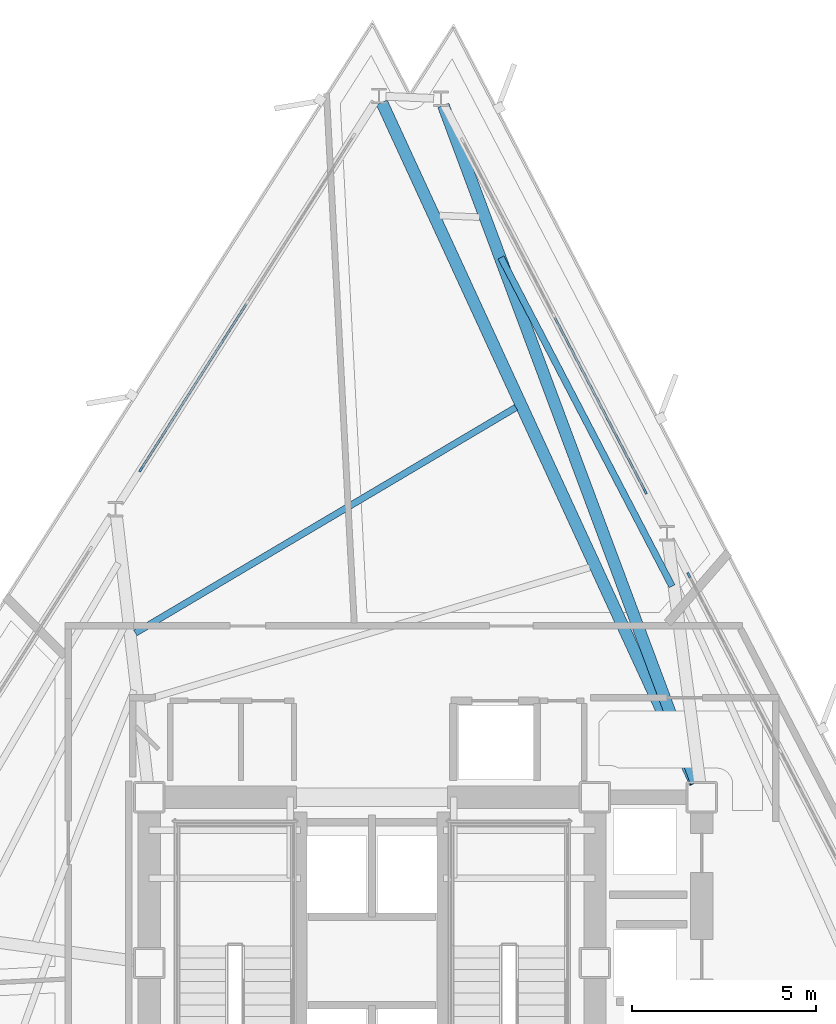
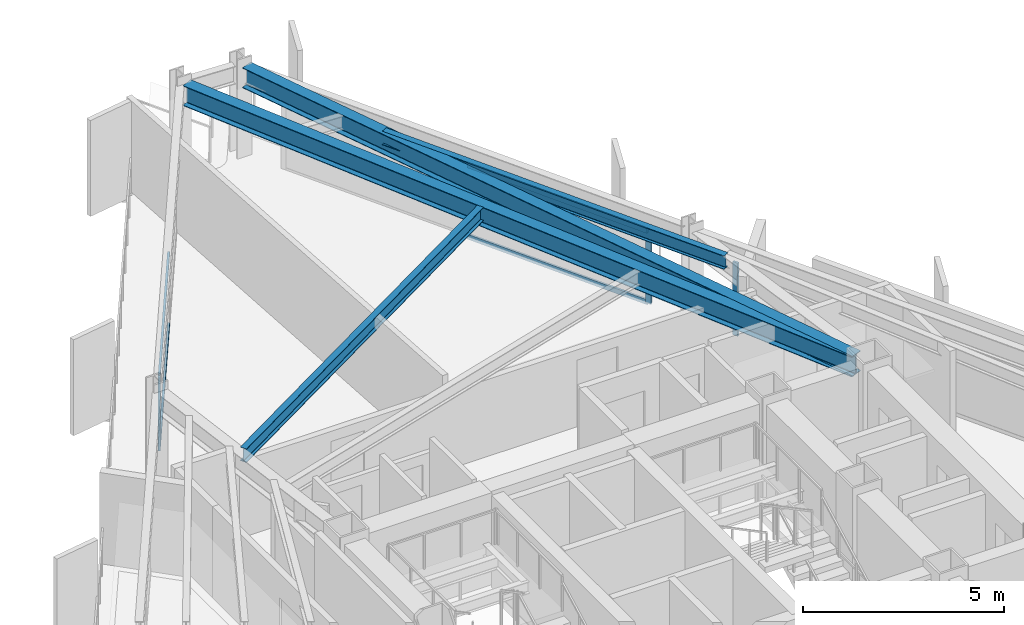
# One storey, part 4 of 12: 7 members, 4 beams, 3 elements without a shape of their own.
"""IFC4 building model written with IfcOpenShell, lengths in metres."""

import ifcopenshell
import ifcopenshell.guid

model = None  # the IFC model being written
_history = None  # IfcOwnerHistory: only IFC2X3 demands one
_inside = {}  # id of a spatial element -> (the spatial element, [elements in it])
_under = {}  # id of a project, library or spatial element -> (it, [spatial elements below it])
_declared = {}  # id of a project -> (the project, [libraries it declares])
_typed = {}  # id of a type object -> (the type object, [elements of that type])
_made_of = {}  # id of a material, layer set ... -> (it, [elements and type objects made of it])


def new_model(schema):
    """Start an empty IFC model of exactly this schema.

    Asked for "IFC4X3", IfcOpenShell would pick the latest addendum, in which some entities
    have other attributes; the version numbers below select the first issue.
    IFC2X3 requires an IfcOwnerHistory on every rooted entity: one is made here for all.
    """
    global model, _history
    if schema == "IFC4X3":
        model = ifcopenshell.file(schema_version=(4, 3, 0, 0))
    else:
        model = ifcopenshell.file(schema=schema)
    _inside.clear()
    _under.clear()
    _declared.clear()
    _typed.clear()
    _made_of.clear()
    _history = None
    if model.schema == "IFC2X3":
        org = make("IfcOrganization", Name="unknown")
        user = make(
            "IfcPersonAndOrganization",
            ThePerson=make("IfcPerson", FamilyName="unknown"),
            TheOrganization=org,
        )
        app = make(
            "IfcApplication",
            ApplicationDeveloper=org,
            Version="unknown",
            ApplicationFullName="unknown",
            ApplicationIdentifier="unknown",
        )
        _history = make(
            "IfcOwnerHistory",
            OwningUser=user,
            OwningApplication=app,
            ChangeAction="ADDED",
            CreationDate=0,
        )
    return model


def make(cls, **values):
    """One entity of the class cls with the attributes given. An attribute that is None is left unset."""
    return model.create_entity(
        cls, **{name: value for name, value in values.items() if value is not None}
    )


def rooted(cls, **values):
    """An entity with a GlobalId (a new one), such as an element, a storey or a relation."""
    return make(cls, GlobalId=ifcopenshell.guid.new(), OwnerHistory=_history, **values)


def si_unit(unit_type, name, prefix=None):
    """IfcSIUnit, for example si_unit("LENGTHUNIT", "METRE", prefix="MILLI")."""
    return make("IfcSIUnit", UnitType=unit_type, Prefix=prefix, Name=name)


def assignment(units):
    """IfcUnitAssignment: the units of a project."""
    return None if units is None else make("IfcUnitAssignment", Units=units)


def point(xyz):
    """IfcCartesianPoint."""
    return None if xyz is None else make("IfcCartesianPoint", Coordinates=xyz)


def direction(xyz):
    """IfcDirection."""
    return None if xyz is None else make("IfcDirection", DirectionRatios=xyz)


def frame(location, z_axis=None, x_axis=None):
    """IfcAxis2Placement3D, a coordinate frame: its origin and axes. An axis left out is left unset."""
    return make(
        "IfcAxis2Placement3D",
        Location=point(location),
        Axis=direction(z_axis),
        RefDirection=direction(x_axis),
    )


def frame_2d(location, x_axis=None):
    """IfcAxis2Placement2D, a coordinate frame in the plane: its origin and x axis."""
    return make(
        "IfcAxis2Placement2D", Location=point(location), RefDirection=direction(x_axis)
    )


def origin():
    """The frame at (0, 0, 0) with its axes left unset."""
    return frame((0.0, 0.0, 0.0))


def origin_2d():
    """The frame at (0, 0) in the plane with its x axis left unset."""
    return frame_2d((0.0, 0.0))


def place(relative_to, where):
    """IfcLocalPlacement: puts the frame where relative to a parent placement (None: the world)."""
    return make(
        "IfcLocalPlacement", PlacementRelTo=relative_to, RelativePlacement=where
    )


def context(
    kind, dimensions, precision=None, world=None, true_north=None, identifier=None
):
    """IfcGeometricRepresentationContext, for example the 3D "Model" context."""
    return make(
        "IfcGeometricRepresentationContext",
        ContextIdentifier=identifier,
        ContextType=kind,
        CoordinateSpaceDimension=dimensions,
        Precision=precision,
        WorldCoordinateSystem=world,
        TrueNorth=true_north,
    )


def subcontext(parent, identifier, kind, view, scale=None):
    """IfcGeometricRepresentationSubContext, for example "Body" below "Model"."""
    return make(
        "IfcGeometricRepresentationSubContext",
        ContextIdentifier=identifier,
        ContextType=kind,
        ParentContext=parent,
        TargetScale=scale,
        TargetView=view,
    )


def project(units=None, contexts=None):
    """IfcProject with its units and contexts."""
    return rooted(
        "IfcProject",
        Name="project",
        RepresentationContexts=contexts,
        UnitsInContext=assignment(units),
    )


def spatial(cls, under=None, at=None, **own):
    """A site, building, storey or space (cls), placed at a placement, below another one or the project."""
    s = rooted(cls, ObjectPlacement=at, **own)
    if under is not None:
        _under.setdefault(under.id(), (under, []))[1].append(s)
    return s


def profile(cls, at=None, kind="AREA", **sizes):
    """A parametric profile (cls). Its sizes go by their IFC names, for example OverallWidth=200.0."""
    return make(cls, ProfileType=kind, Position=at, **sizes)


def rectangle(**sizes):
    """IfcRectangleProfileDef."""
    return profile("IfcRectangleProfileDef", **sizes)


def i_section(**sizes):
    """IfcIShapeProfileDef."""
    return profile("IfcIShapeProfileDef", **sizes)


def extrude(swept, where, along, depth):
    """IfcExtrudedAreaSolid: the profile swept, set in the frame where, extruded along a direction by depth."""
    return make(
        "IfcExtrudedAreaSolid",
        SweptArea=swept,
        Position=where,
        ExtrudedDirection=direction(along),
        Depth=depth,
    )


def shape(context_of_items, identifier, shape_type, items):
    """IfcShapeRepresentation: the items that make up one representation, for example the "Body"."""
    return make(
        "IfcShapeRepresentation",
        ContextOfItems=context_of_items,
        RepresentationIdentifier=identifier,
        RepresentationType=shape_type,
        Items=items,
    )


def material(Name=None, Category=None):
    """IfcMaterial."""
    return make("IfcMaterial", Name=Name, Category=Category)


def layer(
    of_material, thickness, ventilated=None, Name=None, Category=None, Priority=None
):
    """IfcMaterialLayer: one layer of a wall or slab, of a material (None: an air gap)."""
    return make(
        "IfcMaterialLayer",
        Material=of_material,
        LayerThickness=thickness,
        IsVentilated=ventilated,
        Name=Name,
        Category=Category,
        Priority=Priority,
    )


def layer_set(layers, Name=None):
    """IfcMaterialLayerSet."""
    return make("IfcMaterialLayerSet", MaterialLayers=layers, LayerSetName=Name)


def material_profile(
    of_material, cross_section, Name=None, Category=None, Priority=None
):
    """IfcMaterialProfile: a cross section and its material."""
    return make(
        "IfcMaterialProfile",
        Name=Name,
        Material=of_material,
        Profile=cross_section,
        Priority=Priority,
        Category=Category,
    )


def profile_set(profiles, Name=None, composite=None):
    """IfcMaterialProfileSet."""
    return make(
        "IfcMaterialProfileSet",
        Name=Name,
        MaterialProfiles=profiles,
        CompositeProfile=composite,
    )


def made_of(thing, what):
    """Note that an element or type object is made of a material, layer set ...; save() writes the relation."""
    if what is not None:
        _made_of.setdefault(what.id(), (what, []))[1].append(thing)
    return thing


def type_object(cls, material=None, **own):
    """A type object (cls), such as IfcWallType, which elements share."""
    return made_of(rooted(cls, **own), material)


def element(
    cls,
    number,
    at=None,
    inside=None,
    cuts=None,
    type_object=None,
    material=None,
    context=None,
    identifier="Body",
    shape_type=None,
    held_by="IfcProductDefinitionShape",
    body=None,
    shapes=None,
    **own,
):
    """One element of the class cls, such as IfcWall. Its Tag is "e" and its number.

    at: its placement. inside: the storey or other place that contains it. cuts: it is an
    opening in that element (IfcRelVoidsElement). A single representation is given by context,
    identifier, shape_type and body (its items); several are given by shapes. held_by: the class
    of the entity that holds the representations. save() writes the other relations.
    """
    e = rooted(cls, Tag="e%d" % number, ObjectPlacement=at, **own)
    if body is not None:
        shapes = [shape(context, identifier, shape_type, body)]
    if shapes is not None:
        e.Representation = make(held_by, Representations=shapes)
    if inside is not None:
        _inside.setdefault(inside.id(), (inside, []))[1].append(e)
    if cuts is not None:
        rooted(
            "IfcRelVoidsElement", RelatingBuildingElement=cuts, RelatedOpeningElement=e
        )
    if type_object is not None:
        _typed.setdefault(type_object.id(), (type_object, []))[1].append(e)
    return made_of(e, material)


def aggregate(whole, parts):
    """IfcRelAggregates: a whole, such as a stair, and the parts it consists of."""
    return rooted("IfcRelAggregates", RelatingObject=whole, RelatedObjects=parts)


def save(model, path):
    """Write the relations noted so far, then the file.

    IfcRelAggregates (storeys below a building ...), IfcRelContainedInSpatialStructure (elements
    in a storey), IfcRelDefinesByType, IfcRelAssociatesMaterial and IfcRelDeclares: one each for
    every whole, place, type object, material and project.
    """
    for whole, parts in _under.values():
        aggregate(whole, parts)
    for where, things in _inside.values():
        rooted(
            "IfcRelContainedInSpatialStructure",
            RelatedElements=things,
            RelatingStructure=where,
        )
    for kind, things in _typed.values():
        rooted("IfcRelDefinesByType", RelatedObjects=things, RelatingType=kind)
    for what, things in _made_of.values():
        rooted("IfcRelAssociatesMaterial", RelatedObjects=things, RelatingMaterial=what)
    for by, libraries in _declared.values():
        rooted("IfcRelDeclares", RelatingContext=by, RelatedDefinitions=libraries)
    model.write(path)


model = new_model("IFC4")

# Units and contexts
model_context = context("Model", 3, precision=1e-05, world=origin(), true_north=direction((0.0, 1.0)))
body_context = subcontext(model_context, "Body", "Model", "MODEL_VIEW")
ifc_project = project(units=[si_unit("LENGTHUNIT", "METRE"), si_unit("AREAUNIT", "SQUARE_METRE"), si_unit("VOLUMEUNIT", "CUBIC_METRE"), si_unit("PLANEANGLEUNIT", "RADIAN"), si_unit("MASSUNIT", "GRAM", prefix="KILO")], contexts=[model_context])

# Site, building, storey
site_placement = place(None, origin())
site = spatial("IfcSite", under=ifc_project, at=site_placement, CompositionType="ELEMENT")
building_placement = place(site_placement, origin())
building = spatial("IfcBuilding", under=site, at=building_placement, Name="Rocaltana Carrier Exchange", CompositionType="ELEMENT")
storey_placement = place(building_placement, frame((0.0, 0.0, 132.0)))
storey = spatial("IfcBuildingStorey", under=building, at=storey_placement, Name="L41", CompositionType="ELEMENT", Elevation=132.0)

# Curtain wall, member
ifc_material_1 = material(Name="Aluminium 6063-T6", Category="aluminium")
ifc_layer = layer(ifc_material_1, 0.14990234375)
ifc_layer_set = layer_set([ifc_layer], Name="Aluminium 6063-T6")
curtain_wall_type = type_object("IfcCurtainWallType", Name="Mid-Tower Unitised Curtain Wall CW-03", PredefinedType="NOTDEFINED", material=ifc_layer_set)
curtain_wall_1_placement = place(storey_placement, origin())
curtain_wall_1 = element("IfcCurtainWall", 1, at=curtain_wall_1_placement, inside=storey, type_object=curtain_wall_type, Name="L41 CW-03 Run CW-L41-F1S2", PredefinedType="NOTDEFINED")
ifc_material_2 = material(Name="Aluminium 6063-T6", Category="aluminium")
ifc_material_profile_1 = material_profile(ifc_material_2, rectangle(XDim=0.06005859375, YDim=0.14990234375, at=origin_2d()), Name="AL-60X150")
ifc_profile_set_1 = profile_set([ifc_material_profile_1], Name="Aluminium 6063-T6")
member_type_1 = type_object("IfcMemberType", Name="CW-03 Mullion AL-60X150", PredefinedType="MULLION", material=ifc_profile_set_1)
member_1_placement = place(storey_placement, frame((8.60009765625, 10.531005859375, 0.0), z_axis=(0.0, 0.0, 1.0), x_axis=(-0.887011747812, -0.461746856235, 0.0)))
member_1 = element("IfcMember", 2, at=member_1_placement, type_object=member_type_1, Name="CW-03 mullion 3", PredefinedType="MULLION", context=body_context, shape_type="SweptSolid", body=[
    extrude(rectangle(XDim=0.06005859375, YDim=0.14990234375, at=origin_2d()), origin(), (0.0, 0.0, 1.0), 2.218017578125),
])
aggregate(curtain_wall_1, [member_1])

curtain_wall_2_placement = place(storey_placement, origin())
curtain_wall_2 = element("IfcCurtainWall", 3, at=curtain_wall_2_placement, inside=storey, type_object=curtain_wall_type, Name="L41 CW-03 Run CW-L41-F1S3", PredefinedType="NOTDEFINED")
member_2_placement = place(storey_placement, frame((7.41796875, 12.8017578125, 0.0), z_axis=(0.0, 0.0, 1.0), x_axis=(-0.887007955385, -0.461754141383, 0.0)))
member_2 = element("IfcMember", 4, at=member_2_placement, type_object=member_type_1, Name="CW-03 mullion 1", PredefinedType="MULLION", context=body_context, shape_type="SweptSolid", body=[
    extrude(rectangle(XDim=0.06005859375, YDim=0.14990234375, at=origin_2d()), origin(), (0.0, 0.0, 1.0), 2.218017578125),
])

curtain_wall_3_placement = place(storey_placement, origin())
curtain_wall_3 = element("IfcCurtainWall", 5, at=curtain_wall_3_placement, inside=storey, type_object=curtain_wall_type, Name="L41 CW-03 Run CW-L41-F2S1", PredefinedType="NOTDEFINED")
member_3_placement = place(storey_placement, frame((-6.27392578125, 13.3994140625, 0.0), z_axis=(0.0, 0.0, 1.0), x_axis=(0.843390685726, -0.537300801443, 0.0)))
member_3 = element("IfcMember", 6, at=member_3_placement, type_object=member_type_1, Name="CW-03 mullion 3", PredefinedType="MULLION", context=body_context, shape_type="SweptSolid", body=[
    extrude(rectangle(XDim=0.06005859375, YDim=0.14990234375, at=origin_2d()), origin(), (0.0, 0.0, 1.0), 2.218017578125),
])

# Member
ifc_material_3 = material(Name="Aluminium 6063-T6", Category="aluminium")
ifc_material_profile_2 = material_profile(ifc_material_3, rectangle(XDim=0.06005859375, YDim=0.14990234375, at=origin_2d()), Name="AL-60X150")
ifc_profile_set_2 = profile_set([ifc_material_profile_2], Name="Aluminium 6063-T6")
member_type_2 = type_object("IfcMemberType", Name="CW-03 Transom AL-60X150", PredefinedType="USERDEFINED", material=ifc_profile_set_2)
member_4_placement = place(storey_placement, frame((7.404052734375, 12.828369140625, 0.030029296875), z_axis=(-0.461756588365, 0.887006681543, 0.0), x_axis=(-0.887006681543, -0.461756588365, 0.0)))
member_4 = element("IfcMember", 7, at=member_4_placement, type_object=member_type_2, Name="CW-03 transom 1.1", ObjectType="TRANSOM", PredefinedType="USERDEFINED", context=body_context, shape_type="SweptSolid", body=[
    extrude(rectangle(XDim=0.06005859375, YDim=0.14990234375, at=origin_2d()), origin(), (0.0, 0.0, 1.0), 5.31005859375),
])

member_5_placement = place(storey_placement, frame((7.404052734375, 12.828369140625, 2.18798828125), z_axis=(-0.461756588365, 0.887006681543, 0.0), x_axis=(-0.887006681543, -0.461756588365, 0.0)))
member_5 = element("IfcMember", 8, at=member_5_placement, type_object=member_type_2, Name="CW-03 transom 1.2", ObjectType="TRANSOM", PredefinedType="USERDEFINED", context=body_context, shape_type="SweptSolid", body=[
    extrude(rectangle(XDim=0.06005859375, YDim=0.14990234375, at=origin_2d()), origin(), (0.0, 0.0, 1.0), 5.31005859375),
])

aggregate(curtain_wall_2, [member_2, member_4, member_5])

member_6_placement = place(storey_placement, frame((-3.40478515625, 17.903076171875, 0.030029296875), z_axis=(-0.537306810176, -0.843386857698, 0.0), x_axis=(0.843386857698, -0.537306810176, 0.0)))
member_6 = element("IfcMember", 9, at=member_6_placement, type_object=member_type_2, Name="CW-03 transom 2.1", ObjectType="TRANSOM", PredefinedType="USERDEFINED", context=body_context, shape_type="SweptSolid", body=[
    extrude(rectangle(XDim=0.06005859375, YDim=0.14990234375, at=origin_2d()), origin(), (0.0, 0.0, 1.0), 5.309814453125),
])

member_7_placement = place(storey_placement, frame((-3.40478515625, 17.903076171875, 2.18798828125), z_axis=(-0.537306810176, -0.843386857698, 0.0), x_axis=(0.843386857698, -0.537306810176, 0.0)))
member_7 = element("IfcMember", 10, at=member_7_placement, type_object=member_type_2, Name="CW-03 transom 2.2", ObjectType="TRANSOM", PredefinedType="USERDEFINED", context=body_context, shape_type="SweptSolid", body=[
    extrude(rectangle(XDim=0.06005859375, YDim=0.14990234375, at=origin_2d()), origin(), (0.0, 0.0, 1.0), 5.309814453125),
])

aggregate(curtain_wall_3, [member_3, member_6, member_7])

# Beams
ifc_material_4 = material(Name="Steel S355", Category="steel")
ifc_material_profile_3 = material_profile(ifc_material_4, i_section(OverallWidth=0.179931640625, OverallDepth=0.4130859375, WebThickness=0.009765625, FlangeThickness=0.01611328125, FilletRadius=0.012939453125, at=origin_2d()), Name="W16X50")
ifc_profile_set_3 = profile_set([ifc_material_profile_3], Name="Steel S355")
beam_type_1 = type_object("IfcBeamType", Name="Floor Joist W16X50", PredefinedType="JOIST", material=ifc_profile_set_3)
beam_1_placement = place(storey_placement, frame((8.14404296875, 10.22802734375, 2.58154296875), z_axis=(-0.461750708655, 0.887009742368, 0.0), x_axis=(-0.887009742368, -0.461750708655, 0.0)))
element("IfcBeam", 11, at=beam_1_placement, inside=storey, type_object=beam_type_1, Name="FJ-L41-03-3", PredefinedType="JOIST", context=body_context, shape_type="SweptSolid", body=[
    extrude(i_section(OverallWidth=0.179931640625, OverallDepth=0.4130859375, WebThickness=0.009765625, FlangeThickness=0.01611328125, FilletRadius=0.012939453125, at=origin_2d()), origin(), (0.0, 0.0, 1.0), 10.062255859375),
])
beam_2_placement = place(storey_placement, frame((3.906982421875, 15.081298828125, 2.58154296875), z_axis=(-0.86032256877, -0.509750014876, 0.0), x_axis=(0.509750014876, -0.86032256877, 0.0)))
element("IfcBeam", 12, at=beam_2_placement, inside=storey, type_object=beam_type_1, Name="FJ-L41-05-2", PredefinedType="JOIST", context=body_context, shape_type="SweptSolid", body=[
    extrude(i_section(OverallWidth=0.179931640625, OverallDepth=0.4130859375, WebThickness=0.009765625, FlangeThickness=0.01611328125, FilletRadius=0.012939453125, at=origin_2d()), origin(), (0.0, 0.0, 1.0), 12.010986328125),
])
ifc_material_5 = material(Name="Steel S355", Category="steel")
ifc_material_profile_4 = material_profile(ifc_material_5, i_section(OverallWidth=0.323974609375, OverallDepth=0.611083984375, WebThickness=0.0126953125, FlangeThickness=0.01904296875, FilletRadius=0.01611328125, at=origin_2d()), Name="W24X104")
ifc_profile_set_4 = profile_set([ifc_material_profile_4], Name="Steel S355")
beam_type_2 = type_object("IfcBeamType", Name="Radial Girder W24X104", PredefinedType="BEAM", material=ifc_profile_set_4)
beam_3_placement = place(storey_placement, frame((8.80419921875, 4.890625, 2.482421875), z_axis=(-0.349877431588, 0.936795486147, 0.0), x_axis=(-0.936795486147, -0.349877431588, 0.0)))
element("IfcBeam", 13, at=beam_3_placement, inside=storey, type_object=beam_type_2, Name="RG-L41-04", PredefinedType="BEAM", context=body_context, shape_type="SweptSolid", body=[
    extrude(i_section(OverallWidth=0.323974609375, OverallDepth=0.611083984375, WebThickness=0.0126953125, FlangeThickness=0.01904296875, FilletRadius=0.01611328125, at=origin_2d()), origin(), (0.0, 0.0, 1.0), 19.630859375),
])
beam_4_placement = place(storey_placement, frame((8.775634765625, 4.87890625, 2.482421875), z_axis=(-0.418241517275, 0.908335859265, 0.0), x_axis=(-0.908335859265, -0.418241517275, 0.0)))
element("IfcBeam", 14, at=beam_4_placement, inside=storey, type_object=beam_type_2, Name="RG-L41-05", PredefinedType="BEAM", context=body_context, shape_type="SweptSolid", body=[
    extrude(i_section(OverallWidth=0.323974609375, OverallDepth=0.611083984375, WebThickness=0.0126953125, FlangeThickness=0.01904296875, FilletRadius=0.01611328125, at=origin_2d()), origin(), (0.0, 0.0, 1.0), 20.345947265625),
])

save(model, "model.ifc")
